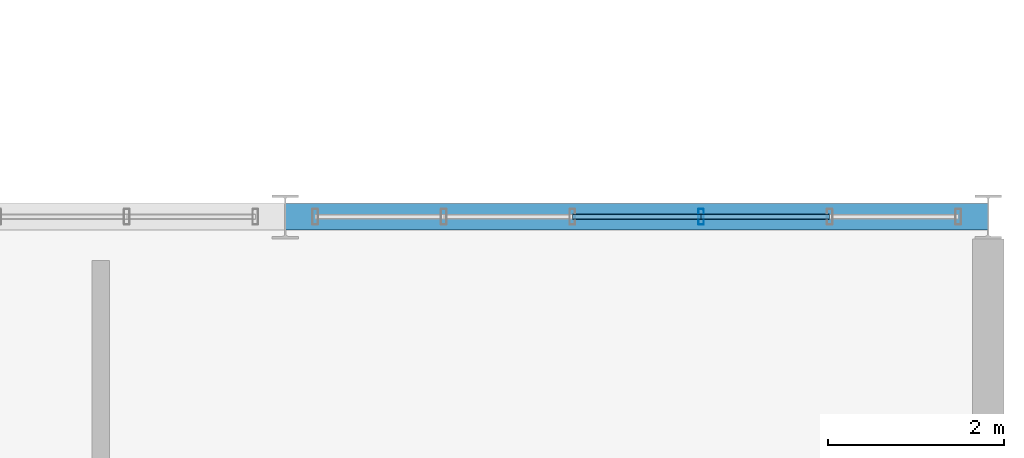
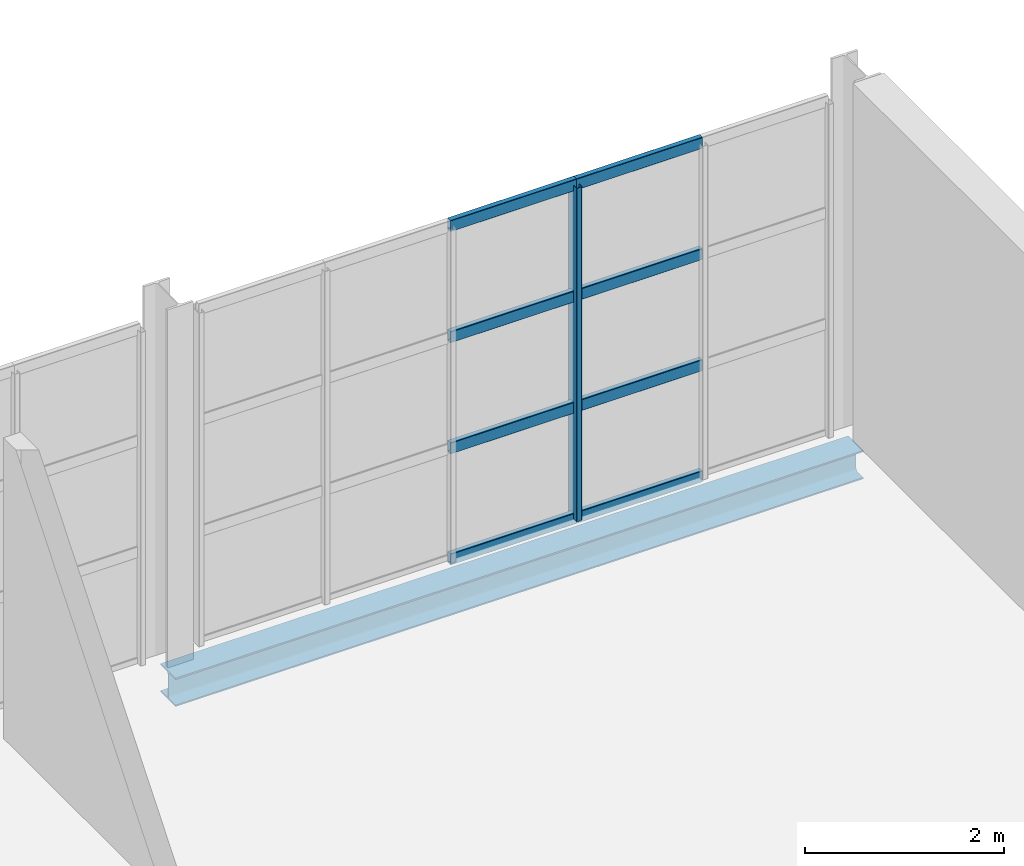
# One storey, part 116 of 153: 9 members, 1 beam, 1 element without a shape of its own.
"""IFC4 building model written with IfcOpenShell, lengths in metres."""

from ifc_helpers import new_model, si_unit, derived_unit, direction, frame, origin, origin_2d, place, context, subcontext, project, spatial, hollow_rectangle, i_section, extrude, material, material_profile, profile_set, type_object, element, aggregate, save


model = new_model("IFC4")

# Units and contexts
model_context = context("Model", 3, precision=1e-05, world=origin(), true_north=direction((0.0, 1.0)))
body_context = subcontext(model_context, "Body", "Model", "MODEL_VIEW")
ifc_project = project(units=[si_unit("LENGTHUNIT", "METRE"), si_unit("AREAUNIT", "SQUARE_METRE"), si_unit("VOLUMEUNIT", "CUBIC_METRE"), si_unit("PLANEANGLEUNIT", "RADIAN"), si_unit("MASSUNIT", "GRAM", prefix="KILO"), derived_unit("THERMALTRANSMITTANCEUNIT", [(si_unit("POWERUNIT", "WATT"), 1), (si_unit("LENGTHUNIT", "METRE"), -2), (si_unit("THERMODYNAMICTEMPERATUREUNIT", "KELVIN"), -1)])], contexts=[model_context])

# Site, building, storey
site_placement = place(None, origin())
site = spatial("IfcSite", under=ifc_project, at=site_placement, CompositionType="ELEMENT")
building_placement = place(site_placement, origin())
building = spatial("IfcBuilding", under=site, at=building_placement, Name="Keldorne Ridge Multi-Sports Centre", CompositionType="ELEMENT")
storey_placement = place(building_placement, frame((0.0, 0.0, 9.60009765625)))
storey = spatial("IfcBuildingStorey", under=building, at=storey_placement, Name="L02", CompositionType="ELEMENT", Elevation=9.60009765625)

# Beam
ifc_material_1 = material(Name="Steel S355", Category="steel")
ifc_material_profile_1 = material_profile(ifc_material_1, i_section(OverallWidth=0.300048828125, OverallDepth=0.35009765625, WebThickness=0.010009765625, FlangeThickness=0.017578125, FilletRadius=0.027099609375, at=origin_2d()), Name="HEA 360")
ifc_profile_set_1 = profile_set([ifc_material_profile_1], Name="Steel S355")
beam_type = type_object("IfcBeamType", Name="BM-SP-03", PredefinedType="SPANDREL", material=ifc_profile_set_1)
beam_placement = place(storey_placement, frame((160.0, 54.0, -0.4150390625), z_axis=(1.0, 0.0, 0.0), x_axis=(0.0, 1.0, 0.0)))
element("IfcBeam", 1, at=beam_placement, inside=storey, type_object=beam_type, Name="L02 Stacked Courts beam 8.13", PredefinedType="SPANDREL", context=body_context, shape_type="SweptSolid", body=[
    extrude(i_section(OverallWidth=0.300048828125, OverallDepth=0.35009765625, WebThickness=0.010009765625, FlangeThickness=0.017578125, FilletRadius=0.027099609375, at=origin_2d()), origin(), (0.0, 0.0, 1.0), 8.0),
])

# Curtain wall, members
ifc_material_2 = material(Name="Anodized aluminium", Category="aluminium")
curtain_wall_type = type_object("IfcCurtainWallType", Name="CW-CW-01", PredefinedType="NOTDEFINED", material=ifc_material_2)
curtain_wall_placement = place(storey_placement, origin())
curtain_wall = element("IfcCurtainWall", 2, at=curtain_wall_placement, inside=storey, type_object=curtain_wall_type, Name="Upper Courts north glazing 137", PredefinedType="NOTDEFINED")
ifc_material_profile_2 = material_profile(ifc_material_2, hollow_rectangle(XDim=0.06494140625, YDim=0.179931640625, WallThickness=0.00439453125, InnerFilletRadius=0.00439453125, OuterFilletRadius=0.009033203125, at=origin_2d()), Name="ALU MULLION 180x65x4.5")
ifc_profile_set_2 = profile_set([ifc_material_profile_2], Name="Anodized aluminium")
member_type_1 = type_object("IfcMemberType", Name="MEM-ML-01", PredefinedType="MULLION", material=ifc_profile_set_2)
member_1_placement = place(storey_placement, frame((164.73193359375, 54.0, 0.0), z_axis=(0.0, 0.0, 1.0), x_axis=(1.0, 0.0, 0.0)))
member_1 = element("IfcMember", 3, at=member_1_placement, type_object=member_type_1, Name="CW-137 vertical mullion 3", PredefinedType="MULLION", context=body_context, shape_type="SweptSolid", body=[
    extrude(hollow_rectangle(XDim=0.06494140625, YDim=0.179931640625, WallThickness=0.00439453125, InnerFilletRadius=0.00439453125, OuterFilletRadius=0.009033203125, at=origin_2d()), origin(), (0.0, 0.0, 1.0), 4.099853515625),
])
ifc_material_profile_3 = material_profile(ifc_material_2, hollow_rectangle(XDim=0.06494140625, YDim=0.139892578125, WallThickness=0.00439453125, InnerFilletRadius=0.00439453125, OuterFilletRadius=0.009033203125, at=origin_2d()), Name="ALU TRANSOM 140x65x4.5")
ifc_profile_set_3 = profile_set([ifc_material_profile_3], Name="Anodized aluminium")
member_type_2 = type_object("IfcMemberType", Name="MEM-TR-01", PredefinedType="USERDEFINED", material=ifc_profile_set_3)
member_2_placement = place(storey_placement, frame((166.196044921875, 54.0, 0.0), z_axis=(-1.0, 0.0, 0.0), x_axis=(0.0, -1.0, 0.0)))
member_2 = element("IfcMember", 4, at=member_2_placement, type_object=member_type_2, Name="CW-137 transom 2.1", ObjectType="TRANSOM", PredefinedType="USERDEFINED", context=body_context, shape_type="SweptSolid", body=[
    extrude(hollow_rectangle(XDim=0.06494140625, YDim=0.139892578125, WallThickness=0.00439453125, InnerFilletRadius=0.00439453125, OuterFilletRadius=0.009033203125, at=origin_2d()), origin(), (0.0, 0.0, 1.0), 1.464111328125),
])
member_3_placement = place(storey_placement, frame((166.196044921875, 54.0, 1.36669921875), z_axis=(-1.0, 0.0, 0.0), x_axis=(0.0, -1.0, 0.0)))
member_3 = element("IfcMember", 5, at=member_3_placement, type_object=member_type_2, Name="CW-137 transom 2.2", ObjectType="TRANSOM", PredefinedType="USERDEFINED", context=body_context, shape_type="SweptSolid", body=[
    extrude(hollow_rectangle(XDim=0.06494140625, YDim=0.139892578125, WallThickness=0.00439453125, InnerFilletRadius=0.00439453125, OuterFilletRadius=0.009033203125, at=origin_2d()), origin(), (0.0, 0.0, 1.0), 1.464111328125),
])
member_4_placement = place(storey_placement, frame((166.196044921875, 54.0, 2.733154296875), z_axis=(-1.0, 0.0, 0.0), x_axis=(0.0, -1.0, 0.0)))
member_4 = element("IfcMember", 6, at=member_4_placement, type_object=member_type_2, Name="CW-137 transom 2.3", ObjectType="TRANSOM", PredefinedType="USERDEFINED", context=body_context, shape_type="SweptSolid", body=[
    extrude(hollow_rectangle(XDim=0.06494140625, YDim=0.139892578125, WallThickness=0.00439453125, InnerFilletRadius=0.00439453125, OuterFilletRadius=0.009033203125, at=origin_2d()), origin(), (0.0, 0.0, 1.0), 1.464111328125),
])
member_5_placement = place(storey_placement, frame((166.196044921875, 54.0, 4.099853515625), z_axis=(-1.0, 0.0, 0.0), x_axis=(0.0, -1.0, 0.0)))
member_5 = element("IfcMember", 7, at=member_5_placement, type_object=member_type_2, Name="CW-137 transom 2.4", ObjectType="TRANSOM", PredefinedType="USERDEFINED", context=body_context, shape_type="SweptSolid", body=[
    extrude(hollow_rectangle(XDim=0.06494140625, YDim=0.139892578125, WallThickness=0.00439453125, InnerFilletRadius=0.00439453125, OuterFilletRadius=0.009033203125, at=origin_2d()), origin(), (0.0, 0.0, 1.0), 1.464111328125),
])
member_6_placement = place(storey_placement, frame((164.73193359375, 54.0, 0.0), z_axis=(-1.0, 0.0, 0.0), x_axis=(0.0, -1.0, 0.0)))
member_6 = element("IfcMember", 8, at=member_6_placement, type_object=member_type_2, Name="CW-137 transom 3.1", ObjectType="TRANSOM", PredefinedType="USERDEFINED", context=body_context, shape_type="SweptSolid", body=[
    extrude(hollow_rectangle(XDim=0.06494140625, YDim=0.139892578125, WallThickness=0.00439453125, InnerFilletRadius=0.00439453125, OuterFilletRadius=0.009033203125, at=origin_2d()), origin(), (0.0, 0.0, 1.0), 1.4638671875),
])
member_7_placement = place(storey_placement, frame((164.73193359375, 54.0, 1.36669921875), z_axis=(-1.0, 0.0, 0.0), x_axis=(0.0, -1.0, 0.0)))
member_7 = element("IfcMember", 9, at=member_7_placement, type_object=member_type_2, Name="CW-137 transom 3.2", ObjectType="TRANSOM", PredefinedType="USERDEFINED", context=body_context, shape_type="SweptSolid", body=[
    extrude(hollow_rectangle(XDim=0.06494140625, YDim=0.139892578125, WallThickness=0.00439453125, InnerFilletRadius=0.00439453125, OuterFilletRadius=0.009033203125, at=origin_2d()), origin(), (0.0, 0.0, 1.0), 1.4638671875),
])
member_8_placement = place(storey_placement, frame((164.73193359375, 54.0, 2.733154296875), z_axis=(-1.0, 0.0, 0.0), x_axis=(0.0, -1.0, 0.0)))
member_8 = element("IfcMember", 10, at=member_8_placement, type_object=member_type_2, Name="CW-137 transom 3.3", ObjectType="TRANSOM", PredefinedType="USERDEFINED", context=body_context, shape_type="SweptSolid", body=[
    extrude(hollow_rectangle(XDim=0.06494140625, YDim=0.139892578125, WallThickness=0.00439453125, InnerFilletRadius=0.00439453125, OuterFilletRadius=0.009033203125, at=origin_2d()), origin(), (0.0, 0.0, 1.0), 1.4638671875),
])
member_9_placement = place(storey_placement, frame((164.73193359375, 54.0, 4.099853515625), z_axis=(-1.0, 0.0, 0.0), x_axis=(0.0, -1.0, 0.0)))
member_9 = element("IfcMember", 11, at=member_9_placement, type_object=member_type_2, Name="CW-137 transom 3.4", ObjectType="TRANSOM", PredefinedType="USERDEFINED", context=body_context, shape_type="SweptSolid", body=[
    extrude(hollow_rectangle(XDim=0.06494140625, YDim=0.139892578125, WallThickness=0.00439453125, InnerFilletRadius=0.00439453125, OuterFilletRadius=0.009033203125, at=origin_2d()), origin(), (0.0, 0.0, 1.0), 1.4638671875),
])
aggregate(curtain_wall, [member_1, member_2, member_3, member_4, member_5, member_6, member_7, member_8, member_9])

save(model, "model.ifc")
